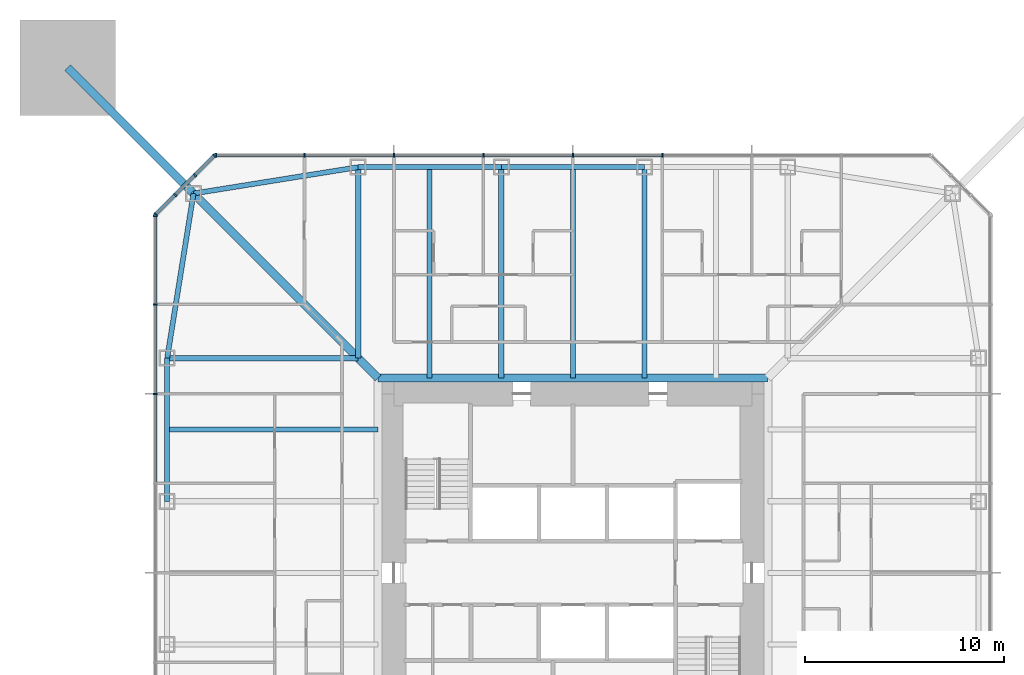
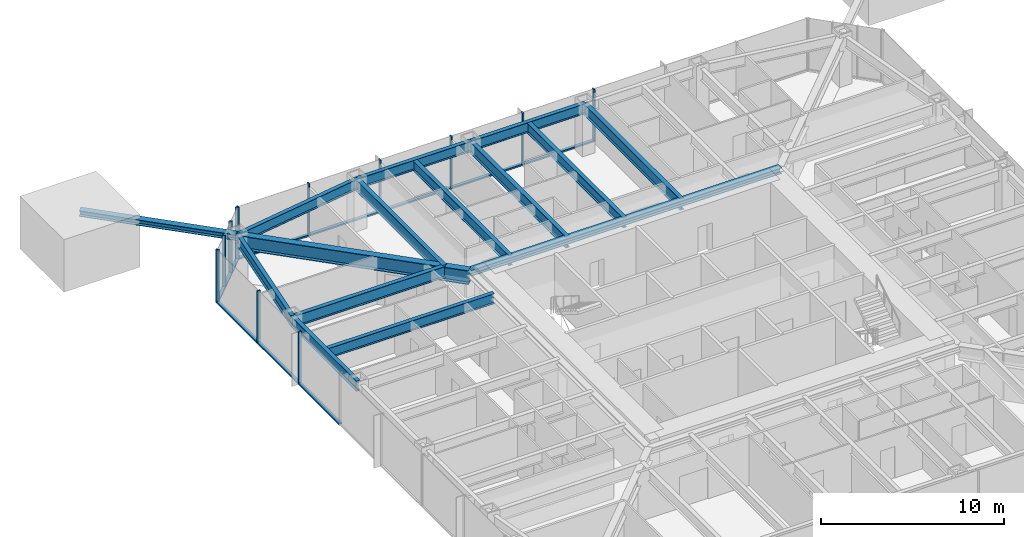
# One storey, part 6 of 25: 25 members, 14 beams, 3 elements without a shape of their own.
"""IFC4 building model written with IfcOpenShell, lengths in metres."""

from ifc_helpers import new_model, si_unit, direction, frame, origin, origin_2d, place, context, subcontext, project, spatial, rectangle, i_section, extrude, material, material_profile, profile_set, type_object, element, aggregate, save


model = new_model("IFC4")

# Units and contexts
model_context = context("Model", 3, precision=1e-05, world=origin(), true_north=direction((0.0, 1.0)))
body_context = subcontext(model_context, "Body", "Model", "MODEL_VIEW")
ifc_project = project(units=[si_unit("LENGTHUNIT", "METRE"), si_unit("AREAUNIT", "SQUARE_METRE"), si_unit("VOLUMEUNIT", "CUBIC_METRE"), si_unit("PLANEANGLEUNIT", "RADIAN"), si_unit("MASSUNIT", "GRAM", prefix="KILO")], contexts=[model_context])

# Site, building, storey
site_placement = place(None, origin())
site = spatial("IfcSite", under=ifc_project, at=site_placement, CompositionType="ELEMENT")
building_placement = place(site_placement, origin())
building = spatial("IfcBuilding", under=site, at=building_placement, Name="Iwan Alto Co-Living Towers", CompositionType="ELEMENT")
storey_placement = place(building_placement, frame((0.0, 0.0, 105.0)))
storey = spatial("IfcBuildingStorey", under=building, at=storey_placement, Name="L28", CompositionType="ELEMENT", Elevation=105.0)

# Curtain wall, members
ifc_material_1 = material(Name="Bronze aluminium unitised frame", Category="aluminium")
curtain_wall_type_1 = type_object("IfcCurtainWallType", Name="CURTAIN WALL CW-A", PredefinedType="NOTDEFINED", material=ifc_material_1)
curtain_wall_1_placement = place(storey_placement, origin())
curtain_wall_1 = element("IfcCurtainWall", 1, at=curtain_wall_1_placement, inside=storey, type_object=curtain_wall_type_1, Name="T1 curtain wall N L28", PredefinedType="NOTDEFINED")
ifc_material_2 = material(Name="Aluminium 6063-T6 bronze anodised", Category="aluminium")
ifc_material_profile_1 = material_profile(ifc_material_2, rectangle(XDim=0.199951171875, YDim=0.080078125, at=origin_2d()), Name="AL 80X200")
ifc_profile_set_1 = profile_set([ifc_material_profile_1], Name="Aluminium 6063-T6 bronze anodised")
member_type_1 = type_object("IfcMemberType", Name="CW-A MULLION 80X200", PredefinedType="MULLION", material=ifc_profile_set_1)
member_1_placement = place(storey_placement, frame((4.5, 21.0, 0.0), z_axis=(0.0, 0.0, 1.0), x_axis=(0.0, -1.0, 0.0)))
member_1 = element("IfcMember", 2, at=member_1_placement, type_object=member_type_1, Name="CW-A mullion 4", PredefinedType="MULLION", context=body_context, shape_type="SweptSolid", body=[
    extrude(rectangle(XDim=0.199951171875, YDim=0.080078125, at=origin_2d()), origin(), (0.0, 0.0, 1.0), 3.5),
])
member_2_placement = place(storey_placement, frame((0.0, 21.0, 0.0), z_axis=(0.0, 0.0, 1.0), x_axis=(0.0, -1.0, 0.0)))
member_2 = element("IfcMember", 3, at=member_2_placement, type_object=member_type_1, Name="CW-A mullion 5", PredefinedType="MULLION", context=body_context, shape_type="SweptSolid", body=[
    extrude(rectangle(XDim=0.199951171875, YDim=0.080078125, at=origin_2d()), origin(), (0.0, 0.0, 1.0), 3.5),
])
member_3_placement = place(storey_placement, frame((-4.5, 21.0, 0.0), z_axis=(0.0, 0.0, 1.0), x_axis=(0.0, -1.0, 0.0)))
member_3 = element("IfcMember", 4, at=member_3_placement, type_object=member_type_1, Name="CW-A mullion 6", PredefinedType="MULLION", context=body_context, shape_type="SweptSolid", body=[
    extrude(rectangle(XDim=0.199951171875, YDim=0.080078125, at=origin_2d()), origin(), (0.0, 0.0, 1.0), 3.5),
])
member_4_placement = place(storey_placement, frame((-9.0, 21.0, 0.0), z_axis=(0.0, 0.0, 1.0), x_axis=(0.0, -1.0, 0.0)))
member_4 = element("IfcMember", 5, at=member_4_placement, type_object=member_type_1, Name="CW-A mullion 7", PredefinedType="MULLION", context=body_context, shape_type="SweptSolid", body=[
    extrude(rectangle(XDim=0.199951171875, YDim=0.080078125, at=origin_2d()), origin(), (0.0, 0.0, 1.0), 3.5),
])
member_5_placement = place(storey_placement, frame((-13.5, 21.0, 0.0), z_axis=(0.0, 0.0, 1.0), x_axis=(0.0, -1.0, 0.0)))
member_5 = element("IfcMember", 6, at=member_5_placement, type_object=member_type_1, Name="CW-A mullion 8", PredefinedType="MULLION", context=body_context, shape_type="SweptSolid", body=[
    extrude(rectangle(XDim=0.199951171875, YDim=0.080078125, at=origin_2d()), origin(), (0.0, 0.0, 1.0), 3.5),
])
member_6_placement = place(storey_placement, frame((-17.9599609375, 21.0, 0.0), z_axis=(0.0, 0.0, 1.0), x_axis=(0.0, -1.0, 0.0)))
member_6 = element("IfcMember", 7, at=member_6_placement, type_object=member_type_1, Name="CW-A mullion 9", PredefinedType="MULLION", context=body_context, shape_type="SweptSolid", body=[
    extrude(rectangle(XDim=0.199951171875, YDim=0.080078125, at=origin_2d()), origin(), (0.0, 0.0, 1.0), 3.5),
])

curtain_wall_2_placement = place(storey_placement, origin())
curtain_wall_2 = element("IfcCurtainWall", 8, at=curtain_wall_2_placement, inside=storey, type_object=curtain_wall_type_1, Name="T1 curtain wall W L28", PredefinedType="NOTDEFINED")
member_7_placement = place(storey_placement, frame((-21.0, 17.9599609375, 0.0), z_axis=(0.0, 0.0, 1.0), x_axis=(1.0, 0.0, 0.0)))
member_7 = element("IfcMember", 9, at=member_7_placement, type_object=member_type_1, Name="CW-A mullion 1", PredefinedType="MULLION", context=body_context, shape_type="SweptSolid", body=[
    extrude(rectangle(XDim=0.199951171875, YDim=0.080078125, at=origin_2d()), origin(), (0.0, 0.0, 1.0), 3.5),
])
member_8_placement = place(storey_placement, frame((-21.0, 13.5, 0.0), z_axis=(0.0, 0.0, 1.0), x_axis=(1.0, 0.0, 0.0)))
member_8 = element("IfcMember", 10, at=member_8_placement, type_object=member_type_1, Name="CW-A mullion 2", PredefinedType="MULLION", context=body_context, shape_type="SweptSolid", body=[
    extrude(rectangle(XDim=0.199951171875, YDim=0.080078125, at=origin_2d()), origin(), (0.0, 0.0, 1.0), 3.5),
])
member_9_placement = place(storey_placement, frame((-21.0, 9.0, 0.0), z_axis=(0.0, 0.0, 1.0), x_axis=(1.0, 0.0, 0.0)))
member_9 = element("IfcMember", 11, at=member_9_placement, type_object=member_type_1, Name="CW-A mullion 3", PredefinedType="MULLION", context=body_context, shape_type="SweptSolid", body=[
    extrude(rectangle(XDim=0.199951171875, YDim=0.080078125, at=origin_2d()), origin(), (0.0, 0.0, 1.0), 3.5),
])

# Member
ifc_material_3 = material(Name="Aluminium 6063-T6 bronze anodised", Category="aluminium")
ifc_material_profile_2 = material_profile(ifc_material_3, rectangle(XDim=0.199951171875, YDim=0.10009765625, at=origin_2d()), Name="AL 200X100")
ifc_profile_set_2 = profile_set([ifc_material_profile_2], Name="Aluminium 6063-T6 bronze anodised")
member_type_2 = type_object("IfcMemberType", Name="CW-A TRANSOM 200X100", PredefinedType="USERDEFINED", material=ifc_profile_set_2)
member_10_placement = place(storey_placement, frame((4.4599609375, 21.0, 0.050048828125), z_axis=(-1.0, 0.0, 0.0), x_axis=(0.0, -1.0, 0.0)))
member_10 = element("IfcMember", 12, at=member_10_placement, type_object=member_type_2, Name="CW-A transom 4.1", ObjectType="TRANSOM", PredefinedType="USERDEFINED", context=body_context, shape_type="SweptSolid", body=[
    extrude(rectangle(XDim=0.199951171875, YDim=0.10009765625, at=origin_2d()), origin(), (0.0, 0.0, 1.0), 4.419921875),
])

member_11_placement = place(storey_placement, frame((-0.0400390625, 21.0, 0.050048828125), z_axis=(-1.0, 0.0, 0.0), x_axis=(0.0, -1.0, 0.0)))
member_11 = element("IfcMember", 13, at=member_11_placement, type_object=member_type_2, Name="CW-A transom 5.1", ObjectType="TRANSOM", PredefinedType="USERDEFINED", context=body_context, shape_type="SweptSolid", body=[
    extrude(rectangle(XDim=0.199951171875, YDim=0.10009765625, at=origin_2d()), origin(), (0.0, 0.0, 1.0), 4.419921875),
])

member_12_placement = place(storey_placement, frame((-4.5400390625, 21.0, 0.050048828125), z_axis=(-1.0, 0.0, 0.0), x_axis=(0.0, -1.0, 0.0)))
member_12 = element("IfcMember", 14, at=member_12_placement, type_object=member_type_2, Name="CW-A transom 6.1", ObjectType="TRANSOM", PredefinedType="USERDEFINED", context=body_context, shape_type="SweptSolid", body=[
    extrude(rectangle(XDim=0.199951171875, YDim=0.10009765625, at=origin_2d()), origin(), (0.0, 0.0, 1.0), 4.419921875),
])

member_13_placement = place(storey_placement, frame((-9.0400390625, 21.0, 0.050048828125), z_axis=(-1.0, 0.0, 0.0), x_axis=(0.0, -1.0, 0.0)))
member_13 = element("IfcMember", 15, at=member_13_placement, type_object=member_type_2, Name="CW-A transom 7.1", ObjectType="TRANSOM", PredefinedType="USERDEFINED", context=body_context, shape_type="SweptSolid", body=[
    extrude(rectangle(XDim=0.199951171875, YDim=0.10009765625, at=origin_2d()), origin(), (0.0, 0.0, 1.0), 4.419921875),
])

member_14_placement = place(storey_placement, frame((-13.5400390625, 21.0, 0.050048828125), z_axis=(-1.0, 0.0, 0.0), x_axis=(0.0, -1.0, 0.0)))
member_14 = element("IfcMember", 16, at=member_14_placement, type_object=member_type_2, Name="CW-A transom 8.1", ObjectType="TRANSOM", PredefinedType="USERDEFINED", context=body_context, shape_type="SweptSolid", body=[
    extrude(rectangle(XDim=0.199951171875, YDim=0.10009765625, at=origin_2d()), origin(), (0.0, 0.0, 1.0), 4.3798828125),
])

aggregate(curtain_wall_1, [member_1, member_2, member_3, member_4, member_5, member_6, member_10, member_11, member_12, member_13, member_14])

member_15_placement = place(storey_placement, frame((-21.0, 17.919921875, 0.050048828125), z_axis=(0.0, -1.0, 0.0), x_axis=(1.0, 0.0, 0.0)))
member_15 = element("IfcMember", 17, at=member_15_placement, type_object=member_type_2, Name="CW-A transom 1.1", ObjectType="TRANSOM", PredefinedType="USERDEFINED", context=body_context, shape_type="SweptSolid", body=[
    extrude(rectangle(XDim=0.199951171875, YDim=0.10009765625, at=origin_2d()), origin(), (0.0, 0.0, 1.0), 4.3798828125),
])

member_16_placement = place(storey_placement, frame((-21.0, 13.4599609375, 0.050048828125), z_axis=(0.0, -1.0, 0.0), x_axis=(1.0, 0.0, 0.0)))
member_16 = element("IfcMember", 18, at=member_16_placement, type_object=member_type_2, Name="CW-A transom 2.1", ObjectType="TRANSOM", PredefinedType="USERDEFINED", context=body_context, shape_type="SweptSolid", body=[
    extrude(rectangle(XDim=0.199951171875, YDim=0.10009765625, at=origin_2d()), origin(), (0.0, 0.0, 1.0), 4.419921875),
])

member_17_placement = place(storey_placement, frame((-21.0, 8.9599609375, 0.050048828125), z_axis=(0.0, -1.0, 0.0), x_axis=(1.0, 0.0, 0.0)))
member_17 = element("IfcMember", 19, at=member_17_placement, type_object=member_type_2, Name="CW-A transom 3.1", ObjectType="TRANSOM", PredefinedType="USERDEFINED", context=body_context, shape_type="SweptSolid", body=[
    extrude(rectangle(XDim=0.199951171875, YDim=0.10009765625, at=origin_2d()), origin(), (0.0, 0.0, 1.0), 4.419921875),
])

aggregate(curtain_wall_2, [member_7, member_8, member_9, member_15, member_16, member_17])

# Curtain wall, members
ifc_material_4 = material(Name="Bronze aluminium unitised frame", Category="aluminium")
curtain_wall_type_2 = type_object("IfcCurtainWallType", Name="CURTAIN WALL CW-B", PredefinedType="NOTDEFINED", material=ifc_material_4)
curtain_wall_3_placement = place(storey_placement, origin())
curtain_wall_3 = element("IfcCurtainWall", 20, at=curtain_wall_3_placement, inside=storey, type_object=curtain_wall_type_2, Name="T1 chamfer curtain wall NW L28", PredefinedType="NOTDEFINED")
ifc_material_5 = material(Name="Aluminium 6063-T6 bronze anodised", Category="aluminium")
ifc_material_profile_3 = material_profile(ifc_material_5, rectangle(XDim=0.199951171875, YDim=0.080078125, at=origin_2d()), Name="AL 80X200")
ifc_profile_set_3 = profile_set([ifc_material_profile_3], Name="Aluminium 6063-T6 bronze anodised")
member_type_3 = type_object("IfcMemberType", Name="CW-B MULLION 80X200", PredefinedType="MULLION", material=ifc_profile_set_3)
member_18_placement = place(storey_placement, frame((-18.0283203125, 20.9716796875, 0.0), z_axis=(0.0, 0.0, 1.0), x_axis=(0.707106781187, -0.707106781187, 0.0)))
member_18 = element("IfcMember", 21, at=member_18_placement, type_object=member_type_3, Name="CW-B mullion 1", PredefinedType="MULLION", context=body_context, shape_type="SweptSolid", body=[
    extrude(rectangle(XDim=0.199951171875, YDim=0.080078125, at=origin_2d()), origin(), (0.0, 0.0, 1.0), 3.5),
])
member_19_placement = place(storey_placement, frame((-19.0, 20.0, 0.0), z_axis=(0.0, 0.0, 1.0), x_axis=(0.707106781187, -0.707106781187, 0.0)))
member_19 = element("IfcMember", 22, at=member_19_placement, type_object=member_type_3, Name="CW-B mullion 2", PredefinedType="MULLION", context=body_context, shape_type="SweptSolid", body=[
    extrude(rectangle(XDim=0.199951171875, YDim=0.080078125, at=origin_2d()), origin(), (0.0, 0.0, 1.0), 3.5),
])
member_20_placement = place(storey_placement, frame((-20.0, 19.0, 0.0), z_axis=(0.0, 0.0, 1.0), x_axis=(0.707106781187, -0.707106781187, 0.0)))
member_20 = element("IfcMember", 23, at=member_20_placement, type_object=member_type_3, Name="CW-B mullion 3", PredefinedType="MULLION", context=body_context, shape_type="SweptSolid", body=[
    extrude(rectangle(XDim=0.199951171875, YDim=0.080078125, at=origin_2d()), origin(), (0.0, 0.0, 1.0), 3.5),
])
member_21_placement = place(storey_placement, frame((-20.9716796875, 18.0283203125, 0.0), z_axis=(0.0, 0.0, 1.0), x_axis=(0.707106781187, -0.707106781187, 0.0)))
member_21 = element("IfcMember", 24, at=member_21_placement, type_object=member_type_3, Name="CW-B mullion 4", PredefinedType="MULLION", context=body_context, shape_type="SweptSolid", body=[
    extrude(rectangle(XDim=0.199951171875, YDim=0.080078125, at=origin_2d()), origin(), (0.0, 0.0, 1.0), 3.5),
])
ifc_material_6 = material(Name="Aluminium 6063-T6 bronze anodised", Category="aluminium")
ifc_material_profile_4 = material_profile(ifc_material_6, rectangle(XDim=0.199951171875, YDim=0.10009765625, at=origin_2d()), Name="AL 200X100")
ifc_profile_set_4 = profile_set([ifc_material_profile_4], Name="Aluminium 6063-T6 bronze anodised")
member_type_4 = type_object("IfcMemberType", Name="CW-B TRANSOM 200X100", PredefinedType="USERDEFINED", material=ifc_profile_set_4)
member_22_placement = place(storey_placement, frame((-18.056640625, 20.943359375, 0.050048828125), z_axis=(-0.707106781187, -0.707106781187, 0.0), x_axis=(0.707106781187, -0.707106781187, 0.0)))
member_22 = element("IfcMember", 25, at=member_22_placement, type_object=member_type_4, Name="CW-B transom 1.1", ObjectType="TRANSOM", PredefinedType="USERDEFINED", context=body_context, shape_type="SweptSolid", body=[
    extrude(rectangle(XDim=0.199951171875, YDim=0.10009765625, at=origin_2d()), origin(), (0.0, 0.0, 1.0), 1.2939453125),
])
member_23_placement = place(storey_placement, frame((-19.0283203125, 19.9716796875, 0.050048828125), z_axis=(-0.707106781187, -0.707106781187, 0.0), x_axis=(0.707106781187, -0.707106781187, 0.0)))
member_23 = element("IfcMember", 26, at=member_23_placement, type_object=member_type_4, Name="CW-B transom 2.1", ObjectType="TRANSOM", PredefinedType="USERDEFINED", context=body_context, shape_type="SweptSolid", body=[
    extrude(rectangle(XDim=0.199951171875, YDim=0.10009765625, at=origin_2d()), origin(), (0.0, 0.0, 1.0), 1.334228515625),
])
member_24_placement = place(storey_placement, frame((-20.0283203125, 18.9716796875, 0.050048828125), z_axis=(-0.707106781187, -0.707106781187, 0.0), x_axis=(0.707106781187, -0.707106781187, 0.0)))
member_24 = element("IfcMember", 27, at=member_24_placement, type_object=member_type_4, Name="CW-B transom 3.1", ObjectType="TRANSOM", PredefinedType="USERDEFINED", context=body_context, shape_type="SweptSolid", body=[
    extrude(rectangle(XDim=0.199951171875, YDim=0.10009765625, at=origin_2d()), origin(), (0.0, 0.0, 1.0), 1.2939453125),
])
aggregate(curtain_wall_3, [member_18, member_19, member_20, member_21, member_22, member_23, member_24])

# Beams
ifc_material_7 = material(Name="Steel ASTM A992 Gr 50", Category="steel")
ifc_material_profile_5 = material_profile(ifc_material_7, i_section(OverallWidth=0.398681640625, OverallDepth=0.385986328125, WebThickness=0.02099609375, FlangeThickness=0.033203125, at=origin_2d()), Name="W14X176")
ifc_profile_set_5 = profile_set([ifc_material_profile_5], Name="Steel ASTM A992 Gr 50")
beam_type_1 = type_object("IfcBeamType", Name="T1 CORE LEDGER BEAM W14X176", PredefinedType="BEAM", material=ifc_profile_set_5)
beam_1_placement = place(storey_placement, frame((9.79931640625, 9.79931640625, 3.076904296875), z_axis=(-1.0, 0.0, 0.0), x_axis=(0.0, -1.0, 0.0)))
element("IfcBeam", 28, at=beam_1_placement, inside=storey, type_object=beam_type_1, Name="T1 core ledger beam N L29", PredefinedType="BEAM", context=body_context, shape_type="SweptSolid", body=[
    extrude(i_section(OverallWidth=0.398681640625, OverallDepth=0.385986328125, WebThickness=0.02099609375, FlangeThickness=0.033203125, at=origin_2d()), origin(), (0.0, 0.0, 1.0), 19.5986328125),
])
ifc_material_8 = material(Name="Steel ASTM A992 Gr 50", Category="steel")
ifc_material_profile_6 = material_profile(ifc_material_8, i_section(OverallWidth=0.419189453125, OverallDepth=0.927001953125, WebThickness=0.019287109375, FlangeThickness=0.031982421875, at=origin_2d()), Name="W36X231")
ifc_profile_set_6 = profile_set([ifc_material_profile_6], Name="Steel ASTM A992 Gr 50")
beam_type_2 = type_object("IfcBeamType", Name="T1 CORNER GIRDER W36X231", PredefinedType="BEAM", material=ifc_profile_set_6)
beam_2_placement = place(storey_placement, frame((-19.07568359375, 19.07568359375, 2.806396484375), z_axis=(0.707106781187, -0.707106781187, 0.0), x_axis=(0.707106781187, 0.707106781187, 0.0)))
element("IfcBeam", 29, at=beam_2_placement, inside=storey, type_object=beam_type_2, Name="T1 corner girder CNW L29", PredefinedType="BEAM", context=body_context, shape_type="SweptSolid", body=[
    extrude(i_section(OverallWidth=0.419189453125, OverallDepth=0.927001953125, WebThickness=0.019287109375, FlangeThickness=0.031982421875, at=origin_2d()), origin(), (0.0, 0.0, 1.0), 13.11865234375),
])
ifc_material_9 = material(Name="Steel ASTM A992 Gr 50", Category="steel")
ifc_material_profile_7 = material_profile(ifc_material_9, i_section(OverallWidth=0.25390625, OverallDepth=0.683349609375, WebThickness=0.012451171875, FlangeThickness=0.018798828125, at=origin_2d()), Name="W27X94")
ifc_profile_set_7 = profile_set([ifc_material_profile_7], Name="Steel ASTM A992 Gr 50")
beam_type_3 = type_object("IfcBeamType", Name="T1 EDGE BEAM W27X94", PredefinedType="BEAM", material=ifc_profile_set_7)
beam_3_placement = place(storey_placement, frame((3.60009765625, 20.39990234375, 2.928466796875), z_axis=(-1.0, 0.0, 0.0), x_axis=(0.0, -1.0, 0.0)))
element("IfcBeam", 30, at=beam_3_placement, inside=storey, type_object=beam_type_3, Name="T1 edge beam N2 L29", PredefinedType="BEAM", context=body_context, shape_type="SweptSolid", body=[
    extrude(i_section(OverallWidth=0.25390625, OverallDepth=0.683349609375, WebThickness=0.012451171875, FlangeThickness=0.018798828125, at=origin_2d()), origin(), (0.0, 0.0, 1.0), 7.2001953125),
])
beam_4_placement = place(storey_placement, frame((-3.60009765625, 20.39990234375, 2.928466796875), z_axis=(-1.0, 0.0, 0.0), x_axis=(0.0, -1.0, 0.0)))
element("IfcBeam", 31, at=beam_4_placement, inside=storey, type_object=beam_type_3, Name="T1 edge beam N3 L29", PredefinedType="BEAM", context=body_context, shape_type="SweptSolid", body=[
    extrude(i_section(OverallWidth=0.25390625, OverallDepth=0.683349609375, WebThickness=0.012451171875, FlangeThickness=0.018798828125, at=origin_2d()), origin(), (0.0, 0.0, 1.0), 7.199951171875),
])
for number, where, z_axis, x_axis, name in (
    (32, (-10.800048828125, 20.39990234375, 2.928466796875), (-0.987438450439, -0.158004134737, 0.0), (0.158004134737, -0.987438450439, 0.0), "T1 edge beam N4 L29"),
    (33, (-19.07568359375, 19.07568359375, 2.928466796875), (-0.158004134737, -0.987438450439, 0.0), (0.987438450439, -0.158004134737, 0.0), "T1 edge beam CNW L29"),
):
    element("IfcBeam", number, at=place(storey_placement, frame(where, z_axis=z_axis, x_axis=x_axis)), inside=storey, type_object=beam_type_3, Name=name, PredefinedType="BEAM", context=body_context, shape_type="SweptSolid", body=[
        extrude(i_section(OverallWidth=0.25390625, OverallDepth=0.683349609375, WebThickness=0.012451171875, FlangeThickness=0.018798828125, at=origin_2d()), origin(), (0.0, 0.0, 1.0), 8.380859375),
    ])
beam_5_placement = place(storey_placement, frame((-20.39990234375, 10.800048828125, 2.928466796875), z_axis=(0.0, -1.0, 0.0), x_axis=(1.0, 0.0, 0.0)))
element("IfcBeam", 34, at=beam_5_placement, inside=storey, type_object=beam_type_3, Name="T1 edge beam W1 L29", PredefinedType="BEAM", context=body_context, shape_type="SweptSolid", body=[
    extrude(i_section(OverallWidth=0.25390625, OverallDepth=0.683349609375, WebThickness=0.012451171875, FlangeThickness=0.018798828125, at=origin_2d()), origin(), (0.0, 0.0, 1.0), 7.199951171875),
])

# Member
ifc_material_10 = material(Name="Steel ASTM A992 Gr 50", Category="steel")
ifc_material_profile_8 = material_profile(ifc_material_10, i_section(OverallWidth=0.393798828125, OverallDepth=0.3759765625, WebThickness=0.017333984375, FlangeThickness=0.027587890625, at=origin_2d()), Name="W14X145")
ifc_profile_set_8 = profile_set([ifc_material_profile_8], Name="Steel ASTM A992 Gr 50")
member_type_5 = type_object("IfcMemberType", Name="T1 MEGA COLUMN FLOOR TIE W14X145", PredefinedType="STRUT", material=ifc_profile_set_8)
member_25_placement = place(storey_placement, frame((-25.39990234375, 25.39990234375, 3.08203125), z_axis=(0.707106781187, -0.707106781187, 0.0), x_axis=(0.707106781187, 0.707106781187, 0.0)))
element("IfcMember", 35, at=member_25_placement, inside=storey, type_object=member_type_5, Name="T1 mega column floor tie NW L29", PredefinedType="STRUT", context=body_context, shape_type="SweptSolid", body=[
    extrude(i_section(OverallWidth=0.393798828125, OverallDepth=0.3759765625, WebThickness=0.017333984375, FlangeThickness=0.027587890625, at=origin_2d()), origin(), (0.0, 0.0, 1.0), 8.94384765625),
])

# Beams
ifc_material_11 = material(Name="Steel ASTM A992 Gr 50", Category="steel")
ifc_material_profile_9 = material_profile(ifc_material_11, i_section(OverallWidth=0.2666015625, OverallDepth=0.761962890625, WebThickness=0.014404296875, FlangeThickness=0.021484375, at=origin_2d()), Name="W30X116")
ifc_profile_set_9 = profile_set([ifc_material_profile_9], Name="Steel ASTM A992 Gr 50")
beam_type_4 = type_object("IfcBeamType", Name="T1 RADIAL BEAM W30X116", PredefinedType="BEAM", material=ifc_profile_set_9)
for number, where, z_axis, x_axis, name in (
    (36, (3.60009765625, 20.39990234375, 2.888916015625), (0.0, -1.0, 0.0), (1.0, 0.0, 0.0), "T1 radial beam N2 L29"),
    (37, (-3.60009765625, 20.39990234375, 2.888916015625), (0.0, -1.0, 0.0), (1.0, 0.0, 0.0), "T1 radial beam N3 L29"),
):
    element("IfcBeam", number, at=place(storey_placement, frame(where, z_axis=z_axis, x_axis=x_axis)), inside=storey, type_object=beam_type_4, Name=name, PredefinedType="BEAM", context=body_context, shape_type="SweptSolid", body=[
        extrude(i_section(OverallWidth=0.2666015625, OverallDepth=0.761962890625, WebThickness=0.014404296875, FlangeThickness=0.021484375, at=origin_2d()), origin(), (0.0, 0.0, 1.0), 10.6005859375),
    ])
for number, where, z_axis, x_axis, name in (
    (38, (-10.800048828125, 20.39990234375, 2.888916015625), (0.0, -1.0, 0.0), (1.0, 0.0, 0.0), "T1 radial beam N4 L29"),
    (39, (-20.39990234375, 10.800048828125, 2.888916015625), (1.0, 0.0, 0.0), (0.0, 1.0, 0.0), "T1 radial beam W1 L29"),
):
    element("IfcBeam", number, at=place(storey_placement, frame(where, z_axis=z_axis, x_axis=x_axis)), inside=storey, type_object=beam_type_4, Name=name, PredefinedType="BEAM", context=body_context, shape_type="SweptSolid", body=[
        extrude(i_section(OverallWidth=0.2666015625, OverallDepth=0.761962890625, WebThickness=0.014404296875, FlangeThickness=0.021484375, at=origin_2d()), origin(), (0.0, 0.0, 1.0), 9.599853515625),
    ])
ifc_material_12 = material(Name="Steel ASTM A992 Gr 50", Category="steel")
ifc_material_profile_10 = material_profile(ifc_material_12, i_section(OverallWidth=0.25390625, OverallDepth=0.683349609375, WebThickness=0.012451171875, FlangeThickness=0.018798828125, at=origin_2d()), Name="W27X94")
ifc_profile_set_10 = profile_set([ifc_material_profile_10], Name="Steel ASTM A992 Gr 50")
beam_type_5 = type_object("IfcBeamType", Name="T1 SECONDARY BEAM W27X94", PredefinedType="JOIST", material=ifc_profile_set_10)
for number, where, z_axis, x_axis, name in (
    (40, (0.0, 20.39990234375, 2.928466796875), (0.0, -1.0, 0.0), (1.0, 0.0, 0.0), "T1 secondary beam N2 L29"),
    (41, (-7.199951171875, 20.39990234375, 2.928466796875), (0.0, -1.0, 0.0), (1.0, 0.0, 0.0), "T1 secondary beam N3 L29"),
    (42, (-20.39990234375, 7.199951171875, 2.928466796875), (1.0, 0.0, 0.0), (0.0, 1.0, 0.0), "T1 secondary beam W1 L29"),
):
    element("IfcBeam", number, at=place(storey_placement, frame(where, z_axis=z_axis, x_axis=x_axis)), inside=storey, type_object=beam_type_5, Name=name, PredefinedType="JOIST", context=body_context, shape_type="SweptSolid", body=[
        extrude(i_section(OverallWidth=0.25390625, OverallDepth=0.683349609375, WebThickness=0.012451171875, FlangeThickness=0.018798828125, at=origin_2d()), origin(), (0.0, 0.0, 1.0), 10.6005859375),
    ])

save(model, "model.ifc")
